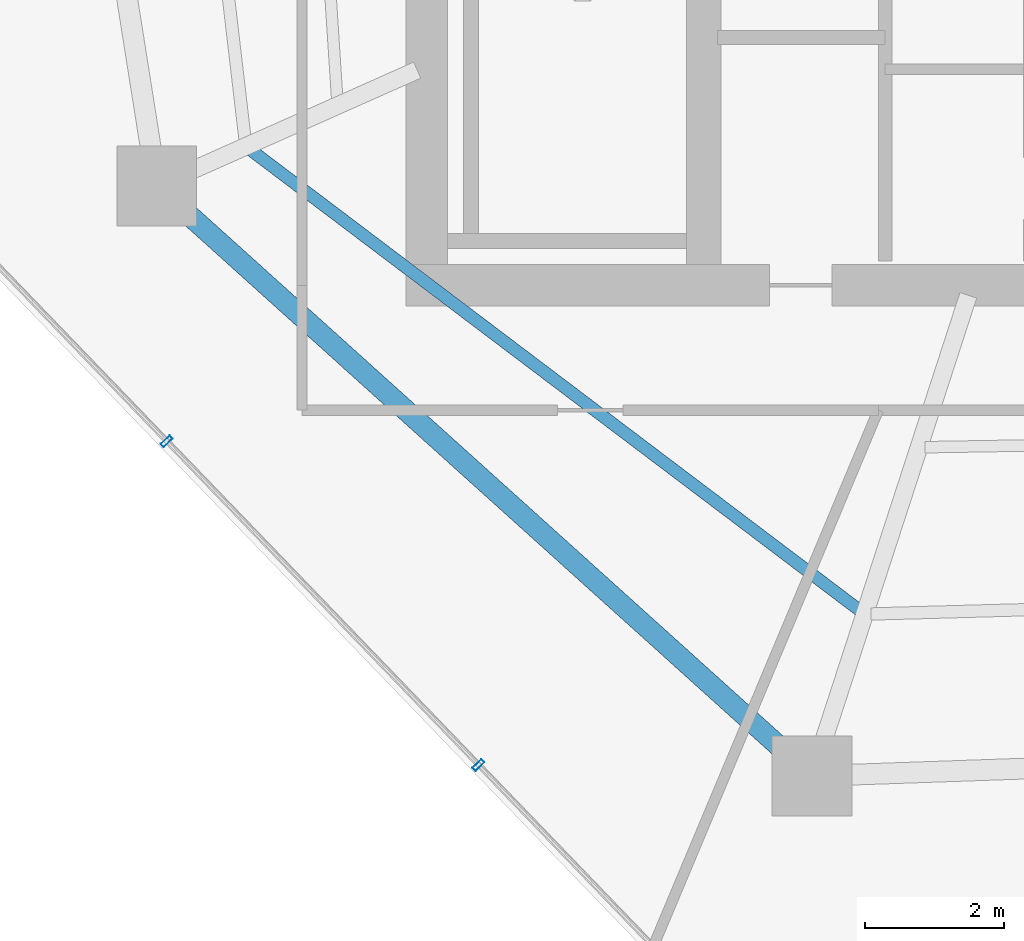
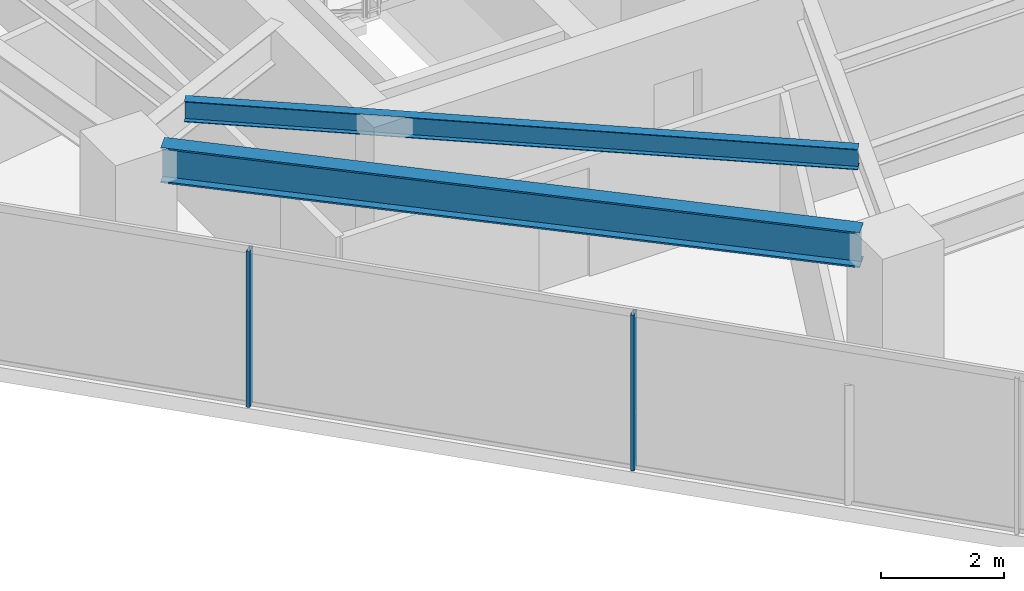
# One storey, part 2 of 23: 2 beams, 2 members, 1 element without a shape of its own.
"""IFC4 building model written with IfcOpenShell, lengths in metres."""

from ifc_helpers import new_model, si_unit, direction, frame, origin, origin_2d, place, context, subcontext, project, spatial, hollow_rectangle, i_section, extrude, material, layer, layer_set, material_profile, profile_set, type_object, element, aggregate, save


model = new_model("IFC4")

# Units and contexts
model_context = context("Model", 3, precision=1e-05, world=origin(), true_north=direction((0.0, 1.0)))
body_context = subcontext(model_context, "Body", "Model", "MODEL_VIEW")
ifc_project = project(units=[si_unit("LENGTHUNIT", "METRE"), si_unit("AREAUNIT", "SQUARE_METRE"), si_unit("VOLUMEUNIT", "CUBIC_METRE"), si_unit("PLANEANGLEUNIT", "RADIAN"), si_unit("MASSUNIT", "GRAM", prefix="KILO")], contexts=[model_context])

# Site, building, storey
site_placement = place(None, origin())
site = spatial("IfcSite", under=ifc_project, at=site_placement, CompositionType="ELEMENT")
building_placement = place(site_placement, origin())
building = spatial("IfcBuilding", under=site, at=building_placement, Name="Qarnah Convention Tower", CompositionType="ELEMENT")
storey_placement = place(building_placement, frame((0.0, 0.0, 117.75)))
storey = spatial("IfcBuildingStorey", under=building, at=storey_placement, Name="L31", CompositionType="ELEMENT", Elevation=117.75)

# Beams
ifc_material_1 = material(Name="Structural steel S355JR", Category="steel")
ifc_material_profile_1 = material_profile(ifc_material_1, i_section(OverallWidth=0.177978515625, OverallDepth=0.407958984375, WebThickness=0.008056640625, FlangeThickness=0.012939453125, at=origin_2d()), Name="W410X60")
ifc_profile_set_1 = profile_set([ifc_material_profile_1], Name="Structural steel S355JR")
beam_type_1 = type_object("IfcBeamType", Name="BM-JST-W410", PredefinedType="JOIST", material=ifc_profile_set_1)
beam_1_placement = place(storey_placement, frame((24.260986328125, 20.553955078125, 2.885986328125), z_axis=(0.797697280495, -0.603058080694, 0.0), x_axis=(0.603058080694, 0.797697280495, 0.0)))
element("IfcBeam", 1, at=beam_1_placement, inside=storey, type_object=beam_type_1, Name="L31 joist BM-L31-SJST-06", PredefinedType="JOIST", context=body_context, shape_type="SweptSolid", body=[
    extrude(i_section(OverallWidth=0.177978515625, OverallDepth=0.407958984375, WebThickness=0.008056640625, FlangeThickness=0.012939453125, at=origin_2d()), origin(), (0.0, 0.0, 1.0), 11.0205078125),
])
ifc_material_profile_2 = material_profile(ifc_material_1, i_section(OverallWidth=0.300048828125, OverallDepth=0.699951171875, WebThickness=0.01708984375, FlangeThickness=0.031982421875, at=origin_2d()), Name="HEB700")
ifc_profile_set_2 = profile_set([ifc_material_profile_2], Name="Structural steel S355JR")
beam_type_2 = type_object("IfcBeamType", Name="BM-RING-HEB700", PredefinedType="BEAM", material=ifc_profile_set_2)
beam_2_placement = place(storey_placement, frame((23.322998046875, 19.656982421875, 2.739990234375), z_axis=(0.743124603424, -0.669153064541, 0.0), x_axis=(0.669153064541, 0.743124603424, 0.0)))
element("IfcBeam", 2, at=beam_2_placement, inside=storey, type_object=beam_type_2, Name="L31 beam BM-L31-SPN-06", PredefinedType="BEAM", context=body_context, shape_type="SweptSolid", body=[
    extrude(i_section(OverallWidth=0.300048828125, OverallDepth=0.699951171875, WebThickness=0.01708984375, FlangeThickness=0.031982421875, at=origin_2d()), origin(), (0.0, 0.0, 1.0), 11.60107421875),
])

# Curtain wall, members
ifc_material_2 = material(Name="Tempered Low-E dark glass", Category="glass")
ifc_layer = layer(ifc_material_2, 0.169921875)
ifc_layer_set = layer_set([ifc_layer], Name="Tempered Low-E dark glass")
curtain_wall_type = type_object("IfcCurtainWallType", Name="CWS-02", PredefinedType="NOTDEFINED", material=ifc_layer_set)
curtain_wall_placement = place(storey_placement, origin())
curtain_wall = element("IfcCurtainWall", 3, at=curtain_wall_placement, inside=storey, type_object=curtain_wall_type, Name="L31 unitised curtain wall CW-L31-F2", PredefinedType="NOTDEFINED")
ifc_material_3 = material(Name="Black anodised aluminium", Category="aluminium")
ifc_material_profile_3 = material_profile(ifc_material_3, hollow_rectangle(XDim=0.06494140625, YDim=0.179931640625, WallThickness=0.00390625, at=origin_2d()), Name="MUL-65X180")
ifc_profile_set_3 = profile_set([ifc_material_profile_3], Name="Black anodised aluminium")
member_type = type_object("IfcMemberType", Name="MUL-T2", PredefinedType="MULLION", material=ifc_profile_set_3)
member_1_placement = place(storey_placement, frame((27.547119140625, 11.67431640625, 0.0), z_axis=(0.0, 0.0, 1.0), x_axis=(-0.693639313308, 0.720322499324, 0.0)))
member_1 = element("IfcMember", 4, at=member_1_placement, type_object=member_type, Name="CW-L31-F2 mullion 3", PredefinedType="MULLION", context=body_context, shape_type="SweptSolid", body=[
    extrude(hollow_rectangle(XDim=0.06494140625, YDim=0.179931640625, WallThickness=0.00390625, at=origin_2d()), origin(), (0.0, 0.0, 1.0), 3.090087890625),
])
member_2_placement = place(storey_placement, frame((23.044921875, 16.349853515625, 0.0), z_axis=(0.0, 0.0, 1.0), x_axis=(-0.693639313308, 0.720322499324, 0.0)))
member_2 = element("IfcMember", 5, at=member_2_placement, type_object=member_type, Name="CW-L31-F2 mullion 4", PredefinedType="MULLION", context=body_context, shape_type="SweptSolid", body=[
    extrude(hollow_rectangle(XDim=0.06494140625, YDim=0.179931640625, WallThickness=0.00390625, at=origin_2d()), origin(), (0.0, 0.0, 1.0), 3.090087890625),
])
aggregate(curtain_wall, [member_1, member_2])

save(model, "model.ifc")
